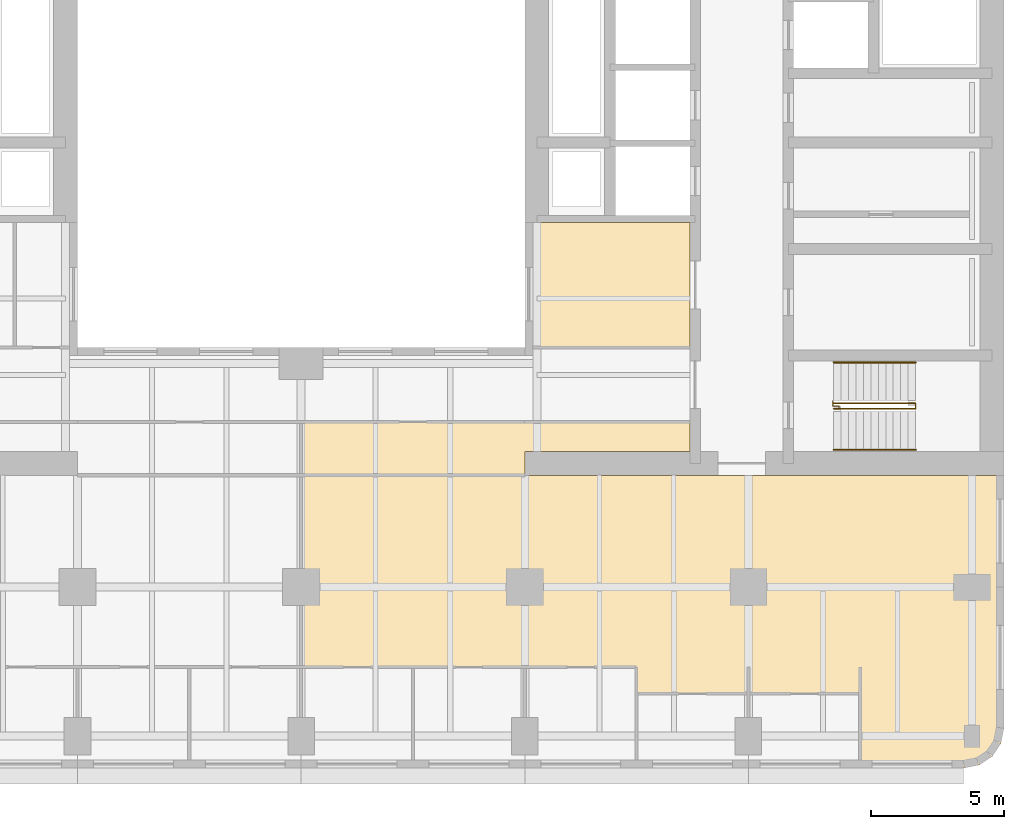
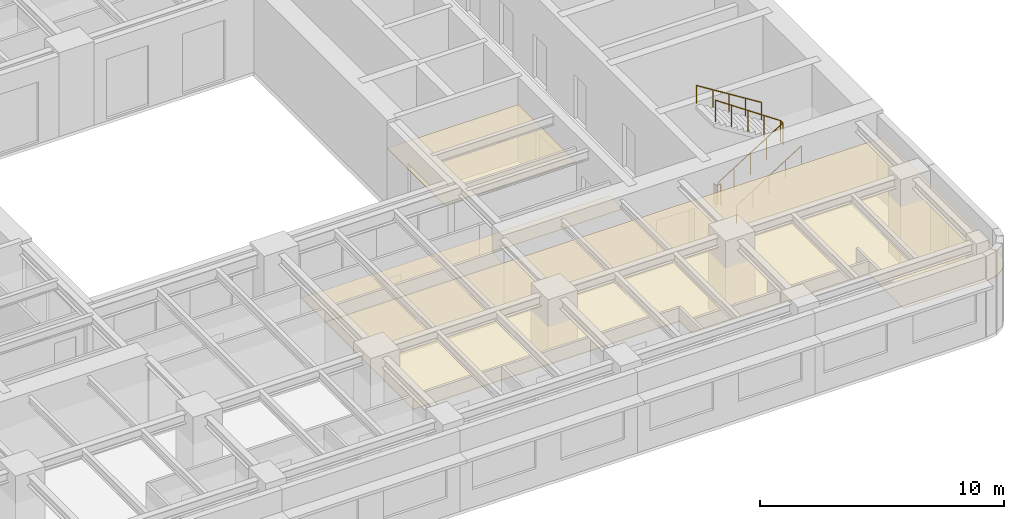
# One storey, part 10 of 11: 4 railings, 3 coverings.
"""IFC4 building model written with IfcOpenShell, lengths in metres."""

from ifc_helpers import new_model, si_unit, direction, frame, origin, origin_2d, place, context, subcontext, project, spatial, polyline, circle, outline, extrude, material, layer, layer_set, type_object, element, save


model = new_model("IFC4")

# Units and contexts
model_context = context("Model", 3, precision=1e-05, world=origin(), true_north=direction((0.0, 1.0)))
body_context = subcontext(model_context, "Body", "Model", "MODEL_VIEW")
ifc_project = project(units=[si_unit("LENGTHUNIT", "METRE"), si_unit("AREAUNIT", "SQUARE_METRE"), si_unit("VOLUMEUNIT", "CUBIC_METRE"), si_unit("PLANEANGLEUNIT", "RADIAN"), si_unit("MASSUNIT", "GRAM", prefix="KILO")], contexts=[model_context])

# Site, building, storey
site_placement = place(None, origin())
site = spatial("IfcSite", under=ifc_project, at=site_placement, CompositionType="ELEMENT")
building_placement = place(site_placement, origin())
building = spatial("IfcBuilding", under=site, at=building_placement, Name="Claustro Exchange Tower", CompositionType="ELEMENT")
storey_placement = place(building_placement, frame((0.0, 0.0, 134.39990234375)))
storey = spatial("IfcBuildingStorey", under=building, at=storey_placement, Name="L30", CompositionType="ELEMENT", Elevation=134.39990234375)

# Coverings
ifc_material_1 = material(Name="Gypsum board ceiling", Category="gypsum board")
ifc_layer = layer(ifc_material_1, 0.02490234375)
ifc_layer_set = layer_set([ifc_layer], Name="Gypsum board ceiling")
covering_type = type_object("IfcCoveringType", Name="CL2 plasterboard ceiling", PredefinedType="CEILING", material=ifc_layer_set)
covering_1_placement = place(storey_placement, frame((0.0, 0.0, 2.800048828125)))
element("IfcCovering", 1, at=covering_1_placement, inside=storey, type_object=covering_type, Name="Ceiling CL2 L30-10", PredefinedType="CEILING", context=body_context, shape_type="SweptSolid", body=[
    extrude(outline(polyline([(51.60009765625, 12.60009765625), (39.800048828125, 12.60009765625), (25.199951171875, 12.60009765625), (25.199951171875, 5.39990234375), (29.39990234375, 5.39990234375), (33.60009765625, 5.39990234375), (37.800048828125, 5.39990234375), (37.800048828125, 4.39990234375), (42.0, 4.39990234375), (46.199951171875, 4.39990234375), (46.199951171875, 1.60009765625), (50.10009765625, 1.60009765625), (50.674072265625, 1.714111328125), (51.16064453125, 2.039306640625), (51.48583984375, 2.52587890625), (51.60009765625, 3.10009765625), (51.60009765625, 12.60009765625)])), origin(), (0.0, 0.0, 1.0), 0.025146484375),
])
covering_2_placement = place(storey_placement, frame((0.0, 0.0, 2.800048828125)))
element("IfcCovering", 2, at=covering_2_placement, inside=storey, type_object=covering_type, Name="Ceiling CL2 L30-12", PredefinedType="CEILING", context=body_context, shape_type="SweptSolid", body=[
    extrude(outline(polyline([(39.800048828125, 13.5), (39.800048828125, 14.60009765625), (33.60009765625, 14.60009765625), (33.60009765625, 14.60009765625), (25.199951171875, 14.60009765625), (25.199951171875, 12.60009765625), (33.60009765625, 12.60009765625), (33.60009765625, 13.5), (39.800048828125, 13.5)])), origin(), (0.0, 0.0, 1.0), 0.025146484375),
])
covering_3_placement = place(storey_placement, frame((0.0, 0.0, 2.800048828125)))
element("IfcCovering", 3, at=covering_3_placement, inside=storey, type_object=covering_type, Name="Ceiling CL2 L30-16", PredefinedType="CEILING", context=body_context, shape_type="SweptSolid", body=[
    extrude(outline(polyline([(39.800048828125, 17.39990234375), (39.800048828125, 22.10009765625), (33.60009765625, 22.10009765625), (33.60009765625, 17.39990234375), (39.800048828125, 17.39990234375)])), origin(), (0.0, 0.0, 1.0), 0.025146484375),
])

# Railings
ifc_material_2 = material(Name="Steel balustrade, painted", Category="steel")
railing_type_1 = type_object("IfcRailingType", Name="GR2 1100 steel stair guard", PredefinedType="GUARDRAIL", material=ifc_material_2)
railing_1_placement = place(storey_placement, frame((45.199951171875, 15.10009765625, 0.175048828125)))
element("IfcRailing", 4, at=railing_1_placement, inside=storey, type_object=railing_type_1, Name="Stair well guard GR2 stair STEA L30", PredefinedType="GUARDRAIL", context=body_context, shape_type="SweptSolid", body=[
    extrude(circle(Radius=0.02392578125, at=origin_2d()), frame((0.0, 0.0, 1.076171875), z_axis=(0.847998304005, 0.0, 0.529998940003), x_axis=(0.0, 1.0, 0.0)), (0.0, 0.0, 1.0), 3.632080078125),
    extrude(circle(Radius=0.02392578125, at=origin_2d()), frame((3.080078125, 0.0, 3.0009765625), z_axis=(0.0, 1.0, 0.0), x_axis=(-1.0, 0.0, 0.0)), (0.0, 0.0, 1.0), 0.199951171875),
    extrude(circle(Radius=0.02392578125, at=origin_2d()), frame((3.080078125, 0.199951171875, 3.0009765625), z_axis=(-0.826221800596, 0.0, 0.563344953133), x_axis=(0.0, -1.0, 0.0)), (0.0, 0.0, 1.0), 3.72802734375),
    extrude(circle(Radius=0.02099609375, at=origin_2d()), origin(), (0.0, 0.0, 1.0), 1.052001953125),
    extrude(circle(Radius=0.02099609375, at=origin_2d()), frame((0.77001953125, 0.0, 0.481201171875)), (0.0, 0.0, 1.0), 1.052001953125),
    extrude(circle(Radius=0.02099609375, at=origin_2d()), frame((1.5400390625, 0.0, 0.96240234375)), (0.0, 0.0, 1.0), 1.052001953125),
    extrude(circle(Radius=0.02099609375, at=origin_2d()), frame((2.31005859375, 0.0, 1.44384765625)), (0.0, 0.0, 1.0), 1.052001953125),
    extrude(circle(Radius=0.02099609375, at=origin_2d()), frame((3.080078125, 0.0, 1.925048828125)), (0.0, 0.0, 1.0), 1.052001953125),
    extrude(circle(Radius=0.02099609375, at=origin_2d()), frame((3.080078125, 0.199951171875, 1.925048828125)), (0.0, 0.0, 1.0), 1.052001953125),
    extrude(circle(Radius=0.02099609375, at=origin_2d()), frame((2.31005859375, 0.199951171875, 2.4501953125)), (0.0, 0.0, 1.0), 1.052001953125),
    extrude(circle(Radius=0.02099609375, at=origin_2d()), frame((1.5400390625, 0.199951171875, 2.97509765625)), (0.0, 0.0, 1.0), 1.052001953125),
    extrude(circle(Radius=0.02099609375, at=origin_2d()), frame((0.77001953125, 0.199951171875, 3.5)), (0.0, 0.0, 1.0), 1.052001953125),
    extrude(circle(Radius=0.02099609375, at=origin_2d()), frame((0.0, 0.199951171875, 4.025146484375)), (0.0, 0.0, 1.0), 1.052001953125),
])
railing_2_placement = place(storey_placement, frame((45.39990234375, 15.169921875, 0.0)))
element("IfcRailing", 5, at=railing_2_placement, inside=storey, type_object=railing_type_1, Name="Stair guard GR2 STEA L30", PredefinedType="GUARDRAIL", context=body_context, shape_type="SweptSolid", body=[
    extrude(circle(Radius=0.02392578125, at=origin_2d()), frame((0.0, 0.0, 1.076171875), z_axis=(0.0, 1.0, 0.0), x_axis=(-1.0, 0.0, 0.0)), (0.0, 0.0, 1.0), 0.030029296875),
    extrude(circle(Radius=0.02392578125, at=origin_2d()), frame((0.0, 0.030029296875, 1.076171875), z_axis=(-1.0, 0.0, 0.0), x_axis=(0.0, -1.0, 0.0)), (0.0, 0.0, 1.0), 0.224853515625),
    extrude(circle(Radius=0.02392578125, at=origin_2d()), frame((-0.224853515625, 0.030029296875, 1.076171875), z_axis=(0.0, 1.0, 0.0), x_axis=(-1.0, 0.0, 0.0)), (0.0, 0.0, 1.0), 0.179931640625),
    extrude(circle(Radius=0.02099609375, at=origin_2d()), origin(), (0.0, 0.0, 1.0), 1.052001953125),
    extrude(circle(Radius=0.02099609375, at=origin_2d()), frame((0.0, 0.030029296875, 0.0)), (0.0, 0.0, 1.0), 1.052001953125),
    extrude(circle(Radius=0.02099609375, at=origin_2d()), frame((-0.224853515625, 0.030029296875, 0.0)), (0.0, 0.0, 1.0), 1.052001953125),
    extrude(circle(Radius=0.02099609375, at=origin_2d()), frame((-0.224853515625, 0.2099609375, 0.0)), (0.0, 0.0, 1.0), 1.052001953125),
])
ifc_material_3 = material(Name="Stainless steel tube", Category="steel")
railing_type_2 = type_object("IfcRailingType", Name="HR1 900 stair handrail", PredefinedType="HANDRAIL", material=ifc_material_3)
railing_3_placement = place(storey_placement, frame((45.199951171875, 13.56005859375, 0.175048828125)))
element("IfcRailing", 6, at=railing_3_placement, inside=storey, type_object=railing_type_2, Name="Handrail HR1 stair STEA L30", PredefinedType="HANDRAIL", context=body_context, shape_type="SweptSolid", body=[
    extrude(circle(Radius=0.02392578125, at=origin_2d()), frame((0.0, 0.0, 0.8759765625), z_axis=(0.847998304005, 0.0, 0.529998940003), x_axis=(0.0, 1.0, 0.0)), (0.0, 0.0, 1.0), 3.632080078125),
    extrude(circle(Radius=0.02099609375, at=origin_2d()), origin(), (0.0, 0.0, 1.0), 0.851806640625),
    extrude(circle(Radius=0.02099609375, at=origin_2d()), frame((0.77001953125, 0.0, 0.481201171875)), (0.0, 0.0, 1.0), 0.851806640625),
    extrude(circle(Radius=0.02099609375, at=origin_2d()), frame((1.5400390625, 0.0, 0.96240234375)), (0.0, 0.0, 1.0), 0.851806640625),
    extrude(circle(Radius=0.02099609375, at=origin_2d()), frame((2.31005859375, 0.0, 1.44384765625)), (0.0, 0.0, 1.0), 0.851806640625),
    extrude(circle(Radius=0.02099609375, at=origin_2d()), frame((3.080078125, 0.0, 1.925048828125)), (0.0, 0.0, 1.0), 0.851806640625),
])
railing_4_placement = place(storey_placement, frame((48.280029296875, 16.840087890625, 2.275146484375)))
element("IfcRailing", 7, at=railing_4_placement, inside=storey, type_object=railing_type_2, Name="Handrail HR1 stair STEA L30", PredefinedType="HANDRAIL", context=body_context, shape_type="SweptSolid", body=[
    extrude(circle(Radius=0.02392578125, at=origin_2d()), frame((0.0, 0.0, 0.8759765625), z_axis=(-0.847998304005, 0.0, 0.529998940003), x_axis=(0.0, -1.0, 0.0)), (0.0, 0.0, 1.0), 3.632080078125),
    extrude(circle(Radius=0.02099609375, at=origin_2d()), origin(), (0.0, 0.0, 1.0), 0.851806640625),
    extrude(circle(Radius=0.02099609375, at=origin_2d()), frame((-0.77001953125, 0.0, 0.481201171875)), (0.0, 0.0, 1.0), 0.851806640625),
    extrude(circle(Radius=0.02099609375, at=origin_2d()), frame((-1.5400390625, 0.0, 0.96240234375)), (0.0, 0.0, 1.0), 0.851806640625),
    extrude(circle(Radius=0.02099609375, at=origin_2d()), frame((-2.31005859375, 0.0, 1.44384765625)), (0.0, 0.0, 1.0), 0.851806640625),
    extrude(circle(Radius=0.02099609375, at=origin_2d()), frame((-3.080078125, 0.0, 1.925048828125)), (0.0, 0.0, 1.0), 0.851806640625),
])

save(model, "model.ifc")
